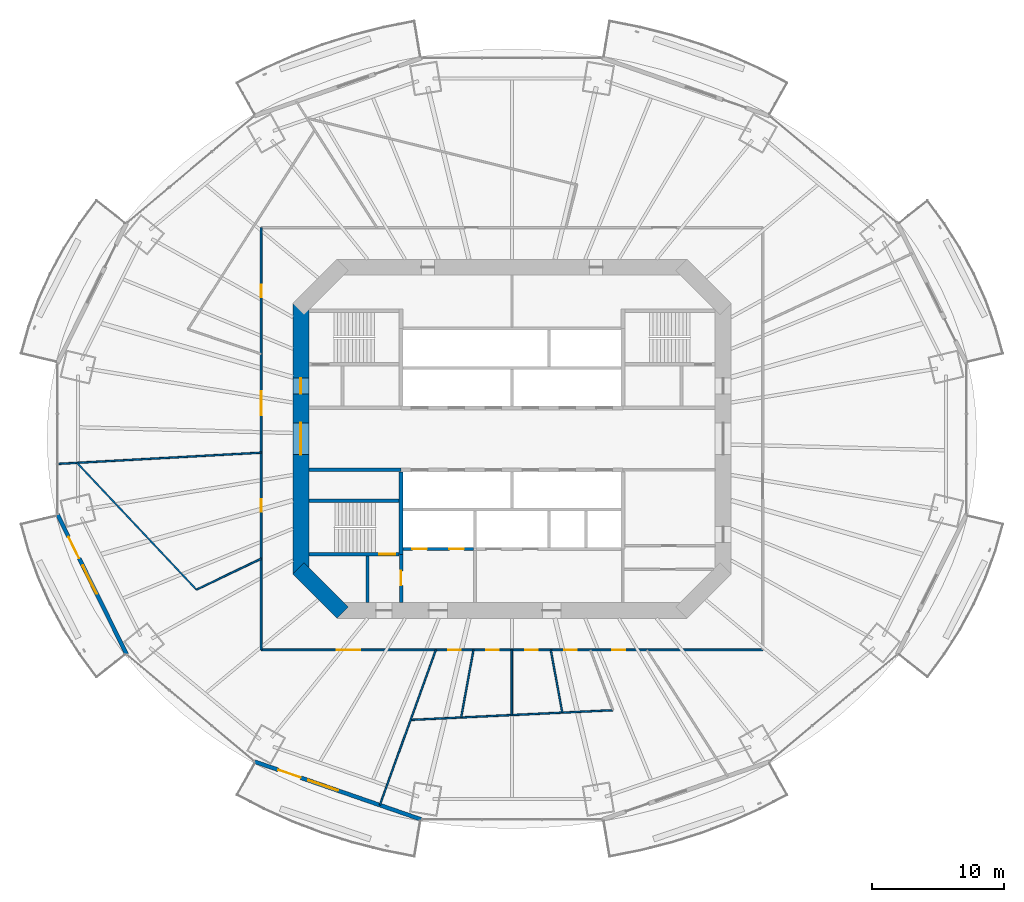
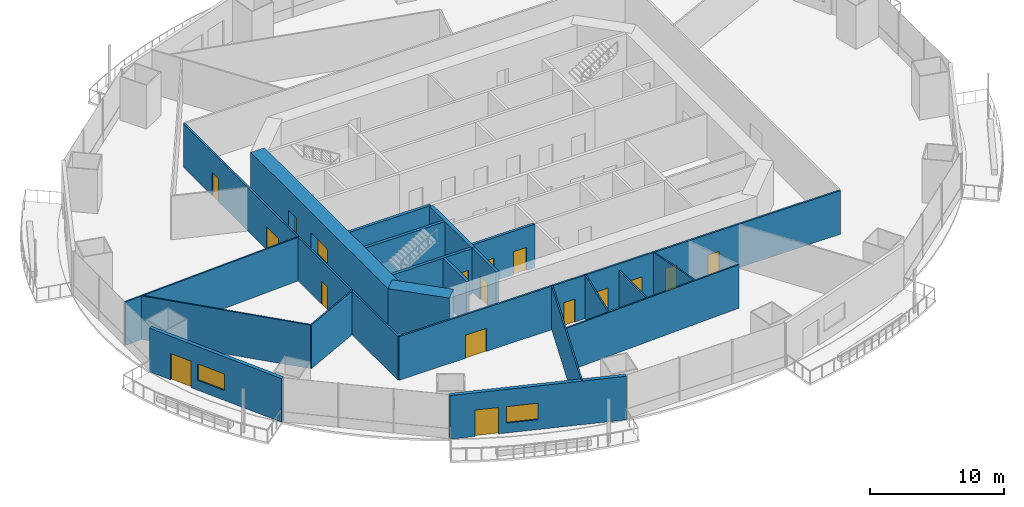
# One storey, part 13 of 22: 21 walls, 17 doors, 2 windows, 19 openings.
"""IFC4 building model written with IfcOpenShell, lengths in metres."""

from ifc_helpers import new_model, si_unit, direction, frame, frame_2d, origin, place, context, subcontext, project, spatial, rectangle, extrude, material, layer, layer_set, type_object, element, fill, save


model = new_model("IFC4")

# Units and contexts
model_context = context("Model", 3, precision=1e-05, world=origin(), true_north=direction((0.0, 1.0)))
body_context = subcontext(model_context, "Body", "Model", "MODEL_VIEW")
ifc_project = project(units=[si_unit("LENGTHUNIT", "METRE"), si_unit("AREAUNIT", "SQUARE_METRE"), si_unit("VOLUMEUNIT", "CUBIC_METRE"), si_unit("PLANEANGLEUNIT", "RADIAN"), si_unit("MASSUNIT", "GRAM", prefix="KILO")], contexts=[model_context])

# Site, building, storey
site_placement = place(None, origin())
site = spatial("IfcSite", under=ifc_project, at=site_placement, CompositionType="ELEMENT")
building_placement = place(site_placement, origin())
building = spatial("IfcBuilding", under=site, at=building_placement, Name="Marenthal Gate Tower", CompositionType="ELEMENT")
storey_placement = place(building_placement, frame((0.0, 0.0, 82.800048828125)))
storey = spatial("IfcBuildingStorey", under=building, at=storey_placement, Name="L16", CompositionType="ELEMENT", Elevation=82.800048828125)

# Wall, openings, doors
ifc_material_1 = material(Name="Concrete 60 MPa", Category="concrete")
ifc_layer_1 = layer(ifc_material_1, 1.199951171875)
ifc_layer_set_1 = layer_set([ifc_layer_1], Name="Core shear wall 1200")
wall_type_1 = type_object("IfcWallType", Name="Core shear wall 1200", PredefinedType="SHEAR", material=ifc_layer_set_1)
wall_1_placement = place(storey_placement, frame((-16.0, 10.24853515625, -0.179931640625), z_axis=(0.0, 0.0, 1.0), x_axis=(0.0, -1.0, 0.0)))
wall_1 = element("IfcWall", 1, at=wall_1_placement, inside=storey, type_object=wall_type_1, Name="Core wall 06", PredefinedType="SHEAR", context=body_context, shape_type="SweptSolid", body=[
    extrude(rectangle(XDim=20.4970703125, YDim=1.199951171875, at=frame_2d((10.24853515625, 0.0))), origin(), (0.0, 0.0, 1.0), 4.14990234375),
])
opening_1_placement = place(wall_1_placement, frame((9.048583984375, 0.0, 0.179931640625)))
opening_1 = element("IfcOpeningElement", 2, at=opening_1_placement, cuts=wall_1, Name="Opening D003.01", PredefinedType="OPENING", context=body_context, shape_type="SweptSolid", body=[
    extrude(rectangle(XDim=2.39990234375, YDim=2.10009765625, at=frame_2d((1.199951171875, 1.050048828125))), frame((0.0, 0.60986328125, 0.0), z_axis=(0.0, -1.0, 0.0), x_axis=(1.0, 0.0, 0.0)), (0.0, 0.0, 1.0), 1.219970703125),
])
opening_2_placement = place(wall_1_placement, frame((5.6484375, 0.0, 0.179931640625)))
opening_2 = element("IfcOpeningElement", 3, at=opening_2_placement, cuts=wall_1, Name="Opening D001.04", PredefinedType="OPENING", context=body_context, shape_type="SweptSolid", body=[
    extrude(rectangle(XDim=1.199951171875, YDim=2.10009765625, at=frame_2d((0.60009765625, 1.050048828125))), frame((0.0, 0.60986328125, 0.0), z_axis=(0.0, -1.0, 0.0), x_axis=(1.0, 0.0, 0.0)), (0.0, 0.0, 1.0), 1.219970703125),
])
ifc_material_2 = material(Name="Steel fire door", Category="steel")
door_type_1 = type_object("IfcDoorType", Name="Double fire door FD 45 2400 x 2100", OperationType="DOUBLE_DOOR_SINGLE_SWING", PredefinedType="DOOR", material=ifc_material_2)
door_1_placement = place(opening_1_placement, origin())
door_1 = element("IfcDoor", 4, at=door_1_placement, inside=storey, type_object=door_type_1, Name="Door D003.01", OperationType="DOUBLE_DOOR_SINGLE_SWING", OverallHeight=2.10009765625, OverallWidth=2.39990234375, PredefinedType="DOOR", context=body_context, shape_type="SweptSolid", body=[
    extrude(rectangle(XDim=2.39990234375, YDim=2.10009765625, at=frame_2d((1.199951171875, 1.050048828125))), frame((0.0, 0.02490234375, 0.0), z_axis=(0.0, -1.0, 0.0), x_axis=(1.0, 0.0, 0.0)), (0.0, 0.0, 1.0), 0.050048828125),
])
fill(opening_1, door_1)
ifc_material_3 = material(Name="Steel fire door", Category="steel")
door_type_2 = type_object("IfcDoorType", Name="Fire door FD 90 1200 x 2100", OperationType="NOTDEFINED", PredefinedType="DOOR", material=ifc_material_3)
door_2_placement = place(opening_2_placement, origin())
door_2 = element("IfcDoor", 5, at=door_2_placement, inside=storey, type_object=door_type_2, Name="Door D001.04", OperationType="SINGLE_SWING_RIGHT", OverallHeight=2.10009765625, OverallWidth=1.199951171875, PredefinedType="DOOR", context=body_context, shape_type="SweptSolid", body=[
    extrude(rectangle(XDim=1.199951171875, YDim=2.10009765625, at=frame_2d((0.60009765625, 1.050048828125))), frame((0.0, 0.02490234375, 0.0), z_axis=(0.0, -1.0, 0.0), x_axis=(1.0, 0.0, 0.0)), (0.0, 0.0, 1.0), 0.050048828125),
])
fill(opening_2, door_2)

# Walls
wall_2_placement = place(storey_placement, frame((-16.17578125, -9.82421875, -0.179931640625), z_axis=(0.0, 0.0, 1.0), x_axis=(0.707106781187, -0.707106781187, 0.0)))
element("IfcWall", 6, at=wall_2_placement, inside=storey, type_object=wall_type_1, Name="Core wall 07", PredefinedType="SHEAR", context=body_context, shape_type="SweptSolid", body=[
    extrude(rectangle(XDim=4.73974609375, YDim=1.199951171875, at=frame_2d((2.369873046875, 0.0))), origin(), (0.0, 0.0, 1.0), 4.14990234375),
])
ifc_material_4 = material(Name="Concrete 50 MPa", Category="concrete")
ifc_layer_2 = layer(ifc_material_4, 0.300048828125)
ifc_layer_set_2 = layer_set([ifc_layer_2], Name="Hoistway shear wall 300")
wall_type_2 = type_object("IfcWallType", Name="Hoistway shear wall 300", PredefinedType="SHEAR", material=ifc_layer_set_2)
wall_3_placement = place(storey_placement, frame((-8.39990234375, -8.75, -0.179931640625), z_axis=(0.0, 0.0, 1.0), x_axis=(0.0, 1.0, 0.0)))
element("IfcWall", 7, at=wall_3_placement, inside=storey, type_object=wall_type_2, Name="Hoistway wall 31", PredefinedType="SHEAR", context=body_context, shape_type="SweptSolid", body=[
    extrude(rectangle(XDim=6.25, YDim=0.300048828125, at=frame_2d((3.125, 0.0))), origin(), (0.0, 0.0, 1.0), 4.14990234375),
])

# Wall, openings, doors
ifc_material_5 = material(Name="Concrete 40 MPa", Category="concrete")
ifc_layer_3 = layer(ifc_material_5, 0.219970703125)
ifc_layer_set_3 = layer_set([ifc_layer_3], Name="Hoistway wall 220")
wall_type_3 = type_object("IfcWallType", Name="Hoistway wall 220", PredefinedType="STANDARD", material=ifc_layer_set_3)
wall_4_placement = place(storey_placement, frame((-8.25, -8.35009765625, 0.0), z_axis=(0.0, 0.0, 1.0), x_axis=(1.0, 0.0, 0.0)))
wall_4 = element("IfcWall", 8, at=wall_4_placement, inside=storey, type_object=wall_type_3, Name="Hoistway wall 11", PredefinedType="STANDARD", context=body_context, shape_type="SweptSolid", body=[
    extrude(rectangle(XDim=5.340087890625, YDim=0.219970703125, at=frame_2d((2.669921875, 0.0))), origin(), (0.0, 0.0, 1.0), 3.969970703125),
])
opening_3_placement = place(wall_4_placement, frame((0.699951171875, 0.0, 0.0)))
opening_3 = element("IfcOpeningElement", 9, at=opening_3_placement, cuts=wall_4, Name="Opening LD-LF1", PredefinedType="OPENING", context=body_context, shape_type="SweptSolid", body=[
    extrude(rectangle(XDim=1.10009765625, YDim=2.10009765625, at=frame_2d((0.550048828125, 1.050048828125))), frame((0.0, 0.1201171875, 0.0), z_axis=(0.0, -1.0, 0.0), x_axis=(1.0, 0.0, 0.0)), (0.0, 0.0, 1.0), 0.239990234375),
])
opening_4_placement = place(wall_4_placement, frame((3.5, 0.0, 0.0)))
opening_4 = element("IfcOpeningElement", 10, at=opening_4_placement, cuts=wall_4, Name="Opening LD-LF2", PredefinedType="OPENING", context=body_context, shape_type="SweptSolid", body=[
    extrude(rectangle(XDim=1.10009765625, YDim=2.10009765625, at=frame_2d((0.550048828125, 1.050048828125))), frame((0.0, 0.1201171875, 0.0), z_axis=(0.0, -1.0, 0.0), x_axis=(1.0, 0.0, 0.0)), (0.0, 0.0, 1.0), 0.239990234375),
])
ifc_material_6 = material(Name="Stainless steel sliding door", Category="steel")
door_type_3 = type_object("IfcDoorType", Name="Lift landing door FD 90 1100 x 2100", OperationType="DOUBLE_DOOR_SLIDING", PredefinedType="DOOR", material=ifc_material_6)
door_3_placement = place(opening_3_placement, origin())
door_3 = element("IfcDoor", 11, at=door_3_placement, inside=storey, type_object=door_type_3, Name="Lift landing door LF1", OperationType="DOUBLE_DOOR_SLIDING", OverallHeight=2.10009765625, OverallWidth=1.10009765625, PredefinedType="DOOR", context=body_context, shape_type="SweptSolid", body=[
    extrude(rectangle(XDim=1.10009765625, YDim=2.10009765625, at=frame_2d((0.550048828125, 1.050048828125))), frame((0.0, 0.02490234375, 0.0), z_axis=(0.0, -1.0, 0.0), x_axis=(1.0, 0.0, 0.0)), (0.0, 0.0, 1.0), 0.050048828125),
])
fill(opening_3, door_3)
door_4_placement = place(opening_4_placement, origin())
door_4 = element("IfcDoor", 12, at=door_4_placement, inside=storey, type_object=door_type_3, Name="Lift landing door LF2", OperationType="DOUBLE_DOOR_SLIDING", OverallHeight=2.10009765625, OverallWidth=1.10009765625, PredefinedType="DOOR", context=body_context, shape_type="SweptSolid", body=[
    extrude(rectangle(XDim=1.10009765625, YDim=2.10009765625, at=frame_2d((0.550048828125, 1.050048828125))), frame((0.0, 0.02490234375, 0.0), z_axis=(0.0, -1.0, 0.0), x_axis=(1.0, 0.0, 0.0)), (0.0, 0.0, 1.0), 0.050048828125),
])
fill(opening_4, door_4)

# Walls
ifc_material_7 = material(Name="Gypsum board on steel studs", Category="steel")
ifc_layer_4 = layer(ifc_material_7, 0.1201171875)
ifc_layer_set_4 = layer_set([ifc_layer_4], Name="Partition 120")
wall_type_4 = type_object("IfcWallType", Name="Partition 120", PredefinedType="PARTITIONING", material=ifc_layer_set_4)
wall_5_placement = place(storey_placement, frame((-32.956787109375, -1.8212890625, 0.0), z_axis=(0.0, 0.0, 1.0), x_axis=(0.685404519596, -0.728162512436, 0.0)))
element("IfcWall", 13, at=wall_5_placement, inside=storey, type_object=wall_type_4, Name="Partition wall 47", PredefinedType="PARTITIONING", context=body_context, shape_type="SweptSolid", body=[
    extrude(rectangle(XDim=13.1953125, YDim=0.1201171875, at=frame_2d((6.59765625, 0.0))), origin(), (0.0, 0.0, 1.0), 3.969970703125),
])
wall_6_placement = place(storey_placement, frame((-23.91259765625, -11.4296875, 0.0), z_axis=(0.0, 0.0, 1.0), x_axis=(0.902248770513, 0.431215904285, 0.0)))
element("IfcWall", 14, at=wall_6_placement, inside=storey, type_object=wall_type_4, Name="Partition wall 49", PredefinedType="PARTITIONING", context=body_context, shape_type="SweptSolid", body=[
    extrude(rectangle(XDim=5.44482421875, YDim=0.1201171875, at=frame_2d((2.722412109375, 0.0))), origin(), (0.0, 0.0, 1.0), 3.969970703125),
])
wall_7_placement = place(storey_placement, frame((-19.0, -1.050048828125, 0.0), z_axis=(0.0, 0.0, 1.0), x_axis=(-0.998476588054, -0.055177016127, 0.0)))
element("IfcWall", 15, at=wall_7_placement, inside=storey, type_object=wall_type_4, Name="Partition wall 51", PredefinedType="PARTITIONING", context=body_context, shape_type="SweptSolid", body=[
    extrude(rectangle(XDim=15.459716796875, YDim=0.1201171875, at=frame_2d((7.72998046875, 0.0))), origin(), (0.0, 0.0, 1.0), 3.969970703125),
])
wall_8_placement = place(storey_placement, frame((-7.68408203125, -21.299072265625, 0.0), z_axis=(0.0, 0.0, 1.0), x_axis=(0.998854128079, 0.04785844564, 0.0)))
element("IfcWall", 16, at=wall_8_placement, inside=storey, type_object=wall_type_4, Name="Partition wall 55", PredefinedType="PARTITIONING", context=body_context, shape_type="SweptSolid", body=[
    extrude(rectangle(XDim=15.3447265625, YDim=0.1201171875, at=frame_2d((7.67236328125, 0.0))), origin(), (0.0, 0.0, 1.0), 3.969970703125),
])
wall_9_placement = place(storey_placement, frame((-5.7724609375, -16.0, 0.0), z_axis=(0.0, 0.0, 1.0), x_axis=(-0.339354475961, -0.940658566987, 0.0)))
element("IfcWall", 17, at=wall_9_placement, inside=storey, type_object=wall_type_4, Name="Partition wall 56", PredefinedType="PARTITIONING", context=body_context, shape_type="SweptSolid", body=[
    extrude(rectangle(XDim=12.496337890625, YDim=0.1201171875, at=frame_2d((6.248046875, 0.0))), origin(), (0.0, 0.0, 1.0), 3.969970703125),
])
wall_10_placement = place(storey_placement, frame((-3.852294921875, -21.115478515625, 0.0), z_axis=(0.0, 0.0, 1.0), x_axis=(0.179447320467, 0.983767583923, 0.0)))
element("IfcWall", 18, at=wall_10_placement, inside=storey, type_object=wall_type_4, Name="Partition wall 57", PredefinedType="PARTITIONING", context=body_context, shape_type="SweptSolid", body=[
    extrude(rectangle(XDim=5.199951171875, YDim=0.1201171875, at=frame_2d((2.60009765625, 0.0))), origin(), (0.0, 0.0, 1.0), 3.969970703125),
])
wall_11_placement = place(storey_placement, frame((-0.0205078125, -20.931884765625, 0.0), z_axis=(0.0, 0.0, 1.0), x_axis=(0.000940547082, 0.999999557685, 0.0)))
element("IfcWall", 19, at=wall_11_placement, inside=storey, type_object=wall_type_4, Name="Partition wall 58", PredefinedType="PARTITIONING", context=body_context, shape_type="SweptSolid", body=[
    extrude(rectangle(XDim=4.931884765625, YDim=0.1201171875, at=frame_2d((2.4658203125, 0.0))), origin(), (0.0, 0.0, 1.0), 3.35791015625),
])
wall_12_placement = place(storey_placement, frame((3.811279296875, -20.748291015625, 0.0), z_axis=(0.0, 0.0, 1.0), x_axis=(-0.180687461344, 0.983540564142, 0.0)))
element("IfcWall", 20, at=wall_12_placement, inside=storey, type_object=wall_type_4, Name="Partition wall 59", PredefinedType="PARTITIONING", context=body_context, shape_type="SweptSolid", body=[
    extrude(rectangle(XDim=4.82763671875, YDim=0.1201171875, at=frame_2d((2.413818359375, 0.0))), origin(), (0.0, 0.0, 1.0), 3.969970703125),
])

# Wall, openings, doors
ifc_material_8 = material(Name="Gypsum board on steel studs", Category="steel")
ifc_layer_5 = layer(ifc_material_8, 0.14990234375)
ifc_layer_set_5 = layer_set([ifc_layer_5], Name="Partition 150")
wall_type_5 = type_object("IfcWallType", Name="Partition 150", PredefinedType="PARTITIONING", material=ifc_layer_set_5)
wall_13_placement = place(storey_placement, frame((-19.0, -16.0, 0.0), z_axis=(0.0, 0.0, 1.0), x_axis=(0.0, 1.0, 0.0)))
wall_13 = element("IfcWall", 21, at=wall_13_placement, inside=storey, type_object=wall_type_5, Name="Partition wall 50", PredefinedType="PARTITIONING", context=body_context, shape_type="SweptSolid", body=[
    extrude(rectangle(XDim=32.0, YDim=0.14990234375, at=frame_2d((16.0, 0.0))), origin(), (0.0, 0.0, 1.0), 3.969970703125),
])
opening_5_placement = place(wall_13_placement, frame((26.735107421875, 0.0, 0.0)))
opening_5 = element("IfcOpeningElement", 22, at=opening_5_placement, cuts=wall_13, Name="Opening D016.02", PredefinedType="OPENING", context=body_context, shape_type="SweptSolid", body=[
    extrude(rectangle(XDim=0.949951171875, YDim=2.10009765625, at=frame_2d((0.47509765625, 1.050048828125))), frame((0.0, 0.0849609375, 0.0), z_axis=(0.0, -1.0, 0.0), x_axis=(1.0, 0.0, 0.0)), (0.0, 0.0, 1.0), 0.169921875),
])
opening_6_placement = place(wall_13_placement, frame((17.784912109375, 0.0, 0.0)))
opening_6 = element("IfcOpeningElement", 23, at=opening_6_placement, cuts=wall_13, Name="Opening D014.02", PredefinedType="OPENING", context=body_context, shape_type="SweptSolid", body=[
    extrude(rectangle(XDim=1.800048828125, YDim=2.10009765625, at=frame_2d((0.89990234375, 1.050048828125))), frame((0.0, 0.0849609375, 0.0), z_axis=(0.0, -1.0, 0.0), x_axis=(1.0, 0.0, 0.0)), (0.0, 0.0, 1.0), 0.169921875),
])
opening_7_placement = place(wall_13_placement, frame((10.458984375, 0.0, 0.0)))
opening_7 = element("IfcOpeningElement", 24, at=opening_7_placement, cuts=wall_13, Name="Opening D016.03", PredefinedType="OPENING", context=body_context, shape_type="SweptSolid", body=[
    extrude(rectangle(XDim=0.949951171875, YDim=2.10009765625, at=frame_2d((0.47509765625, 1.050048828125))), frame((0.0, 0.0849609375, 0.0), z_axis=(0.0, -1.0, 0.0), x_axis=(1.0, 0.0, 0.0)), (0.0, 0.0, 1.0), 0.169921875),
])
ifc_material_9 = material(Name="Timber door", Category="wood")
door_type_4 = type_object("IfcDoorType", Name="Door 950 x 2100", OperationType="NOTDEFINED", PredefinedType="DOOR", material=ifc_material_9)
door_5_placement = place(opening_5_placement, origin())
door_5 = element("IfcDoor", 25, at=door_5_placement, inside=storey, type_object=door_type_4, Name="Door D016.02", OperationType="SINGLE_SWING_RIGHT", OverallHeight=2.10009765625, OverallWidth=0.949951171875, PredefinedType="DOOR", context=body_context, shape_type="SweptSolid", body=[
    extrude(rectangle(XDim=0.949951171875, YDim=2.10009765625, at=frame_2d((0.47509765625, 1.050048828125))), frame((0.0, 0.02490234375, 0.0), z_axis=(0.0, -1.0, 0.0), x_axis=(1.0, 0.0, 0.0)), (0.0, 0.0, 1.0), 0.050048828125),
])
fill(opening_5, door_5)
door_6_placement = place(opening_7_placement, origin())
door_6 = element("IfcDoor", 26, at=door_6_placement, inside=storey, type_object=door_type_4, Name="Door D016.03", OperationType="SINGLE_SWING_RIGHT", OverallHeight=2.10009765625, OverallWidth=0.949951171875, PredefinedType="DOOR", context=body_context, shape_type="SweptSolid", body=[
    extrude(rectangle(XDim=0.949951171875, YDim=2.10009765625, at=frame_2d((0.47509765625, 1.050048828125))), frame((0.0, 0.02490234375, 0.0), z_axis=(0.0, -1.0, 0.0), x_axis=(1.0, 0.0, 0.0)), (0.0, 0.0, 1.0), 0.050048828125),
])
fill(opening_7, door_6)
ifc_material_10 = material(Name="Timber door", Category="wood")
door_type_5 = type_object("IfcDoorType", Name="Double door 1800 x 2100", OperationType="DOUBLE_DOOR_SINGLE_SWING", PredefinedType="DOOR", material=ifc_material_10)
door_7_placement = place(opening_6_placement, origin())
door_7 = element("IfcDoor", 27, at=door_7_placement, inside=storey, type_object=door_type_5, Name="Door D014.02", OperationType="DOUBLE_DOOR_SINGLE_SWING", OverallHeight=2.10009765625, OverallWidth=1.800048828125, PredefinedType="DOOR", context=body_context, shape_type="SweptSolid", body=[
    extrude(rectangle(XDim=1.800048828125, YDim=2.10009765625, at=frame_2d((0.89990234375, 1.050048828125))), frame((0.0, 0.02490234375, 0.0), z_axis=(0.0, -1.0, 0.0), x_axis=(1.0, 0.0, 0.0)), (0.0, 0.0, 1.0), 0.050048828125),
])
fill(opening_6, door_7)

wall_14_placement = place(storey_placement, frame((19.0, -16.0, 0.0), z_axis=(0.0, 0.0, 1.0), x_axis=(-1.0, 0.0, 0.0)))
wall_14 = element("IfcWall", 28, at=wall_14_placement, inside=storey, type_object=wall_type_5, Name="Partition wall 64", PredefinedType="PARTITIONING", context=body_context, shape_type="SweptSolid", body=[
    extrude(rectangle(XDim=38.0, YDim=0.14990234375, at=frame_2d((19.0, 0.0))), origin(), (0.0, 0.0, 1.0), 3.969970703125),
])
opening_8_placement = place(wall_14_placement, frame((30.486083984375, 0.0, 0.0)))
opening_8 = element("IfcOpeningElement", 29, at=opening_8_placement, cuts=wall_14, Name="Opening D014.03", PredefinedType="OPENING", context=body_context, shape_type="SweptSolid", body=[
    extrude(rectangle(XDim=1.800048828125, YDim=2.10009765625, at=frame_2d((0.89990234375, 1.050048828125))), frame((0.0, 0.0849609375, 0.0), z_axis=(0.0, -1.0, 0.0), x_axis=(1.0, 0.0, 0.0)), (0.0, 0.0, 1.0), 0.169921875),
])
opening_9_placement = place(wall_14_placement, frame((22.8701171875, 0.0, 0.0)))
opening_9 = element("IfcOpeningElement", 30, at=opening_9_placement, cuts=wall_14, Name="Opening D016.04", PredefinedType="OPENING", context=body_context, shape_type="SweptSolid", body=[
    extrude(rectangle(XDim=0.949951171875, YDim=2.10009765625, at=frame_2d((0.47509765625, 1.050048828125))), frame((0.0, 0.0849609375, 0.0), z_axis=(0.0, -1.0, 0.0), x_axis=(1.0, 0.0, 0.0)), (0.0, 0.0, 1.0), 0.169921875),
])
opening_10_placement = place(wall_14_placement, frame((19.991943359375, 0.0, 0.0)))
opening_10 = element("IfcOpeningElement", 31, at=opening_10_placement, cuts=wall_14, Name="Opening D016.05", PredefinedType="OPENING", context=body_context, shape_type="SweptSolid", body=[
    extrude(rectangle(XDim=0.949951171875, YDim=2.10009765625, at=frame_2d((0.47509765625, 1.050048828125))), frame((0.0, 0.0849609375, 0.0), z_axis=(0.0, -1.0, 0.0), x_axis=(1.0, 0.0, 0.0)), (0.0, 0.0, 1.0), 0.169921875),
])
opening_11_placement = place(wall_14_placement, frame((17.06298828125, 0.0, 0.0)))
opening_11 = element("IfcOpeningElement", 32, at=opening_11_placement, cuts=wall_14, Name="Opening D016.06", PredefinedType="OPENING", context=body_context, shape_type="SweptSolid", body=[
    extrude(rectangle(XDim=0.949951171875, YDim=2.10009765625, at=frame_2d((0.47509765625, 1.050048828125))), frame((0.0, 0.0849609375, 0.0), z_axis=(0.0, -1.0, 0.0), x_axis=(1.0, 0.0, 0.0)), (0.0, 0.0, 1.0), 0.169921875),
])
opening_12_placement = place(wall_14_placement, frame((14.08203125, 0.0, 0.0)))
opening_12 = element("IfcOpeningElement", 33, at=opening_12_placement, cuts=wall_14, Name="Opening D016.07", PredefinedType="OPENING", context=body_context, shape_type="SweptSolid", body=[
    extrude(rectangle(XDim=0.949951171875, YDim=2.10009765625, at=frame_2d((0.47509765625, 1.050048828125))), frame((0.0, 0.0849609375, 0.0), z_axis=(0.0, -1.0, 0.0), x_axis=(1.0, 0.0, 0.0)), (0.0, 0.0, 1.0), 0.169921875),
])
opening_13_placement = place(wall_14_placement, frame((10.43701171875, 0.0, 0.0)))
opening_13 = element("IfcOpeningElement", 34, at=opening_13_placement, cuts=wall_14, Name="Opening D016.08", PredefinedType="OPENING", context=body_context, shape_type="SweptSolid", body=[
    extrude(rectangle(XDim=0.949951171875, YDim=2.10009765625, at=frame_2d((0.47509765625, 1.050048828125))), frame((0.0, 0.0849609375, 0.0), z_axis=(0.0, -1.0, 0.0), x_axis=(1.0, 0.0, 0.0)), (0.0, 0.0, 1.0), 0.169921875),
])
door_8_placement = place(opening_9_placement, origin())
door_8 = element("IfcDoor", 35, at=door_8_placement, inside=storey, type_object=door_type_4, Name="Door D016.04", OperationType="SINGLE_SWING_RIGHT", OverallHeight=2.10009765625, OverallWidth=0.949951171875, PredefinedType="DOOR", context=body_context, shape_type="SweptSolid", body=[
    extrude(rectangle(XDim=0.949951171875, YDim=2.10009765625, at=frame_2d((0.47509765625, 1.050048828125))), frame((0.0, 0.02490234375, 0.0), z_axis=(0.0, -1.0, 0.0), x_axis=(1.0, 0.0, 0.0)), (0.0, 0.0, 1.0), 0.050048828125),
])
fill(opening_9, door_8)
door_9_placement = place(opening_10_placement, origin())
door_9 = element("IfcDoor", 36, at=door_9_placement, inside=storey, type_object=door_type_4, Name="Door D016.05", OperationType="SINGLE_SWING_RIGHT", OverallHeight=2.10009765625, OverallWidth=0.949951171875, PredefinedType="DOOR", context=body_context, shape_type="SweptSolid", body=[
    extrude(rectangle(XDim=0.949951171875, YDim=2.10009765625, at=frame_2d((0.47509765625, 1.050048828125))), frame((0.0, 0.02490234375, 0.0), z_axis=(0.0, -1.0, 0.0), x_axis=(1.0, 0.0, 0.0)), (0.0, 0.0, 1.0), 0.050048828125),
])
fill(opening_10, door_9)
door_10_placement = place(opening_11_placement, origin())
door_10 = element("IfcDoor", 37, at=door_10_placement, inside=storey, type_object=door_type_4, Name="Door D016.06", OperationType="SINGLE_SWING_RIGHT", OverallHeight=2.10009765625, OverallWidth=0.949951171875, PredefinedType="DOOR", context=body_context, shape_type="SweptSolid", body=[
    extrude(rectangle(XDim=0.949951171875, YDim=2.10009765625, at=frame_2d((0.47509765625, 1.050048828125))), frame((0.0, 0.02490234375, 0.0), z_axis=(0.0, -1.0, 0.0), x_axis=(1.0, 0.0, 0.0)), (0.0, 0.0, 1.0), 0.050048828125),
])
fill(opening_11, door_10)
door_11_placement = place(opening_12_placement, origin())
door_11 = element("IfcDoor", 38, at=door_11_placement, inside=storey, type_object=door_type_4, Name="Door D016.07", OperationType="SINGLE_SWING_RIGHT", OverallHeight=2.10009765625, OverallWidth=0.949951171875, PredefinedType="DOOR", context=body_context, shape_type="SweptSolid", body=[
    extrude(rectangle(XDim=0.949951171875, YDim=2.10009765625, at=frame_2d((0.47509765625, 1.050048828125))), frame((0.0, 0.02490234375, 0.0), z_axis=(0.0, -1.0, 0.0), x_axis=(1.0, 0.0, 0.0)), (0.0, 0.0, 1.0), 0.050048828125),
])
fill(opening_12, door_11)
door_12_placement = place(opening_13_placement, origin())
door_12 = element("IfcDoor", 39, at=door_12_placement, inside=storey, type_object=door_type_4, Name="Door D016.08", OperationType="SINGLE_SWING_RIGHT", OverallHeight=2.10009765625, OverallWidth=0.949951171875, PredefinedType="DOOR", context=body_context, shape_type="SweptSolid", body=[
    extrude(rectangle(XDim=0.949951171875, YDim=2.10009765625, at=frame_2d((0.47509765625, 1.050048828125))), frame((0.0, 0.02490234375, 0.0), z_axis=(0.0, -1.0, 0.0), x_axis=(1.0, 0.0, 0.0)), (0.0, 0.0, 1.0), 0.050048828125),
])
fill(opening_13, door_12)
door_13_placement = place(opening_8_placement, origin())
door_13 = element("IfcDoor", 40, at=door_13_placement, inside=storey, type_object=door_type_5, Name="Door D014.03", OperationType="DOUBLE_DOOR_SINGLE_SWING", OverallHeight=2.10009765625, OverallWidth=1.800048828125, PredefinedType="DOOR", context=body_context, shape_type="SweptSolid", body=[
    extrude(rectangle(XDim=1.800048828125, YDim=2.10009765625, at=frame_2d((0.89990234375, 1.050048828125))), frame((0.0, 0.02490234375, 0.0), z_axis=(0.0, -1.0, 0.0), x_axis=(1.0, 0.0, 0.0)), (0.0, 0.0, 1.0), 0.050048828125),
])
fill(opening_8, door_13)

# Walls
ifc_material_11 = material(Name="Concrete 40 MPa", Category="concrete")
ifc_layer_6 = layer(ifc_material_11, 0.25)
ifc_layer_set_6 = layer_set([ifc_layer_6], Name="Stair enclosure wall 250")
wall_type_6 = type_object("IfcWallType", Name="Stair enclosure wall 250", PredefinedType="STANDARD", material=ifc_layer_set_6)
wall_15_placement = place(storey_placement, frame((-15.39990234375, -2.35009765625, 0.0), z_axis=(0.0, 0.0, 1.0), x_axis=(1.0, 0.0, 0.0)))
element("IfcWall", 41, at=wall_15_placement, inside=storey, type_object=wall_type_6, Name="Stair wall 16", PredefinedType="STANDARD", context=body_context, shape_type="SweptSolid", body=[
    extrude(rectangle(XDim=7.0, YDim=0.25, at=frame_2d((3.5, 0.0))), origin(), (0.0, 0.0, 1.0), 3.969970703125),
])
wall_16_placement = place(storey_placement, frame((-10.949951171875, -12.39990234375, 0.0), z_axis=(0.0, 0.0, 1.0), x_axis=(0.0, 1.0, 0.0)))
element("IfcWall", 42, at=wall_16_placement, inside=storey, type_object=wall_type_6, Name="Stair wall 29", PredefinedType="STANDARD", context=body_context, shape_type="SweptSolid", body=[
    extrude(rectangle(XDim=3.52490234375, YDim=0.25, at=frame_2d((1.762451171875, 0.0))), origin(), (0.0, 0.0, 1.0), 3.969970703125),
])

# Wall, opening, door
wall_17_placement = place(storey_placement, frame((-8.39990234375, -12.39990234375, 0.0), z_axis=(0.0, 0.0, 1.0), x_axis=(0.0, 1.0, 0.0)))
wall_17 = element("IfcWall", 43, at=wall_17_placement, inside=storey, type_object=wall_type_6, Name="Stair wall 30", PredefinedType="STANDARD", context=body_context, shape_type="SweptSolid", body=[
    extrude(rectangle(XDim=3.64990234375, YDim=0.25, at=frame_2d((1.824951171875, 0.0))), origin(), (0.0, 0.0, 1.0), 3.969970703125),
])
opening_14_placement = place(wall_17_placement, frame((1.300048828125, 0.0, 0.0)))
opening_14 = element("IfcOpeningElement", 44, at=opening_14_placement, cuts=wall_17, Name="Opening D002.01", PredefinedType="OPENING", context=body_context, shape_type="SweptSolid", body=[
    extrude(rectangle(XDim=1.10009765625, YDim=2.10009765625, at=frame_2d((0.550048828125, 1.050048828125))), frame((0.0, 0.135009765625, 0.0), z_axis=(0.0, -1.0, 0.0), x_axis=(1.0, 0.0, 0.0)), (0.0, 0.0, 1.0), 0.27001953125),
])
ifc_material_12 = material(Name="Steel fire door", Category="steel")
door_type_6 = type_object("IfcDoorType", Name="Fire door FD 90 1100 x 2100", OperationType="NOTDEFINED", PredefinedType="DOOR", material=ifc_material_12)
door_14_placement = place(opening_14_placement, origin())
door_14 = element("IfcDoor", 45, at=door_14_placement, inside=storey, type_object=door_type_6, Name="Door D002.01", OperationType="SINGLE_SWING_RIGHT", OverallHeight=2.10009765625, OverallWidth=1.10009765625, PredefinedType="DOOR", context=body_context, shape_type="SweptSolid", body=[
    extrude(rectangle(XDim=1.10009765625, YDim=2.10009765625, at=frame_2d((0.550048828125, 1.050048828125))), frame((0.0, 0.02490234375, 0.0), z_axis=(0.0, -1.0, 0.0), x_axis=(1.0, 0.0, 0.0)), (0.0, 0.0, 1.0), 0.050048828125),
])
fill(opening_14, door_14)

ifc_material_13 = material(Name="Concrete 50 MPa", Category="concrete")
ifc_layer_7 = layer(ifc_material_13, 0.25)
ifc_layer_set_7 = layer_set([ifc_layer_7], Name="Stair shear wall 250")
wall_type_7 = type_object("IfcWallType", Name="Stair shear wall 250", PredefinedType="SHEAR", material=ifc_layer_set_7)
wall_18_placement = place(storey_placement, frame((-15.39990234375, -8.75, -0.179931640625), z_axis=(0.0, 0.0, 1.0), x_axis=(1.0, 0.0, 0.0)))
wall_18 = element("IfcWall", 46, at=wall_18_placement, inside=storey, type_object=wall_type_7, Name="Stair wall 10", PredefinedType="SHEAR", context=body_context, shape_type="SweptSolid", body=[
    extrude(rectangle(XDim=6.849853515625, YDim=0.25, at=frame_2d((3.4248046875, 0.0))), origin(), (0.0, 0.0, 1.0), 4.14990234375),
])
opening_15_placement = place(wall_18_placement, frame((5.35009765625, 0.0, 0.179931640625)))
opening_15 = element("IfcOpeningElement", 47, at=opening_15_placement, cuts=wall_18, Name="Opening D001.03", PredefinedType="OPENING", context=body_context, shape_type="SweptSolid", body=[
    extrude(rectangle(XDim=1.199951171875, YDim=2.10009765625, at=frame_2d((0.60009765625, 1.050048828125))), frame((0.0, 0.135009765625, 0.0), z_axis=(0.0, -1.0, 0.0), x_axis=(1.0, 0.0, 0.0)), (0.0, 0.0, 1.0), 0.27001953125),
])
door_15_placement = place(opening_15_placement, origin())
door_15 = element("IfcDoor", 48, at=door_15_placement, inside=storey, type_object=door_type_2, Name="Door D001.03", OperationType="SINGLE_SWING_RIGHT", OverallHeight=2.10009765625, OverallWidth=1.199951171875, PredefinedType="DOOR", context=body_context, shape_type="SweptSolid", body=[
    extrude(rectangle(XDim=1.199951171875, YDim=2.10009765625, at=frame_2d((0.60009765625, 1.050048828125))), frame((0.0, 0.02490234375, 0.0), z_axis=(0.0, -1.0, 0.0), x_axis=(1.0, 0.0, 0.0)), (0.0, 0.0, 1.0), 0.050048828125),
])
fill(opening_15, door_15)

# Wall
wall_19_placement = place(storey_placement, frame((-15.39990234375, -4.699951171875, -0.179931640625), z_axis=(0.0, 0.0, 1.0), x_axis=(1.0, 0.0, 0.0)))
element("IfcWall", 49, at=wall_19_placement, inside=storey, type_object=wall_type_7, Name="Stair wall 15", PredefinedType="SHEAR", context=body_context, shape_type="SweptSolid", body=[
    extrude(rectangle(XDim=6.849853515625, YDim=0.25, at=frame_2d((3.4248046875, 0.0))), origin(), (0.0, 0.0, 1.0), 4.14990234375),
])

# Wall, openings, door, window
ifc_material_14 = material(Name="Terracotta cladding on insulated concrete-block backing", Category="masonry")
ifc_layer_8 = layer(ifc_material_14, 0.300048828125)
ifc_layer_set_8 = layer_set([ifc_layer_8], Name="Terracotta facade wall 300")
wall_type_8 = type_object("IfcWallType", Name="Terracotta facade wall 300", PredefinedType="SOLIDWALL", material=ifc_layer_set_8)
wall_20_placement = place(storey_placement, frame((-34.436279296875, -5.7392578125, 0.0), z_axis=(0.0, 0.0, 1.0), x_axis=(0.443180520711, -0.896432387892, 0.0)))
wall_20 = element("IfcWall", 50, at=wall_20_placement, inside=storey, type_object=wall_type_8, Name="Terracotta facade wall L16 bay 9", PredefinedType="SOLIDWALL", context=body_context, shape_type="SweptSolid", body=[
    extrude(rectangle(XDim=11.82958984375, YDim=0.300048828125, at=frame_2d((5.914794921875, 0.0))), origin(), (0.0, 0.0, 1.0), 3.969970703125),
])
opening_16_placement = place(wall_20_placement, frame((1.89990234375, 0.0, 0.0)))
opening_16 = element("IfcOpeningElement", 51, at=opening_16_placement, cuts=wall_20, Name="Opening BD-L16-09", PredefinedType="OPENING", context=body_context, shape_type="SweptSolid", body=[
    extrude(rectangle(XDim=1.800048828125, YDim=2.39990234375, at=frame_2d((0.89990234375, 1.199951171875))), frame((0.0, 0.16015625, 0.0), z_axis=(0.0, -1.0, 0.0), x_axis=(1.0, 0.0, 0.0)), (0.0, 0.0, 1.0), 0.320068359375),
])
opening_17_placement = place(wall_20_placement, frame((4.300048828125, 0.0, 0.89990234375)))
opening_17 = element("IfcOpeningElement", 52, at=opening_17_placement, cuts=wall_20, Name="Opening WN1-L16-09", PredefinedType="OPENING", context=body_context, shape_type="SweptSolid", body=[
    extrude(rectangle(XDim=2.39990234375, YDim=1.5, at=frame_2d((1.199951171875, 0.75))), frame((0.0, 0.16015625, 0.0), z_axis=(0.0, -1.0, 0.0), x_axis=(1.0, 0.0, 0.0)), (0.0, 0.0, 1.0), 0.320068359375),
])
ifc_material_15 = material(Name="Aluminium and glass", Category="aluminium")
door_type_7 = type_object("IfcDoorType", Name="Balcony door 1800x2400", OperationType="DOUBLE_DOOR_SINGLE_SWING", PredefinedType="DOOR", material=ifc_material_15)
door_16_placement = place(opening_16_placement, origin())
door_16 = element("IfcDoor", 53, at=door_16_placement, inside=storey, type_object=door_type_7, Name="Balcony door L16 bay 9", OperationType="SINGLE_SWING_LEFT", OverallHeight=2.39990234375, OverallWidth=1.800048828125, PredefinedType="DOOR", context=body_context, shape_type="SweptSolid", body=[
    extrude(rectangle(XDim=1.800048828125, YDim=2.39990234375, at=frame_2d((0.89990234375, 1.199951171875))), frame((0.0, 0.02490234375, 0.0), z_axis=(0.0, -1.0, 0.0), x_axis=(1.0, 0.0, 0.0)), (0.0, 0.0, 1.0), 0.050048828125),
])
fill(opening_16, door_16)
ifc_material_16 = material(Name="Aluminium and glass", Category="aluminium")
window_type = type_object("IfcWindowType", Name="Window 2400x1500", PartitioningType="TRIPLE_PANEL_VERTICAL", PredefinedType="WINDOW", material=ifc_material_16)
window_1_placement = place(opening_17_placement, origin())
window_1 = element("IfcWindow", 54, at=window_1_placement, inside=storey, type_object=window_type, Name="Window L16 bay 9", OverallHeight=1.5, OverallWidth=2.39990234375, PartitioningType="SINGLE_PANEL", PredefinedType="WINDOW", context=body_context, shape_type="SweptSolid", body=[
    extrude(rectangle(XDim=2.39990234375, YDim=1.5, at=frame_2d((1.199951171875, 0.75))), frame((0.0, 0.030029296875, 0.0), z_axis=(0.0, -1.0, 0.0), x_axis=(1.0, 0.0, 0.0)), (0.0, 0.0, 1.0), 0.06005859375),
])
fill(opening_17, window_1)

wall_21_placement = place(storey_placement, frame((-19.506591796875, -24.460205078125, 0.0), z_axis=(0.0, 0.0, 1.0), x_axis=(0.944722748464, -0.327870292241, 0.0)))
wall_21 = element("IfcWall", 55, at=wall_21_placement, inside=storey, type_object=wall_type_8, Name="Terracotta facade wall L16 bay 11", PredefinedType="SOLIDWALL", context=body_context, shape_type="SweptSolid", body=[
    extrude(rectangle(XDim=13.397216796875, YDim=0.300048828125, at=frame_2d((6.69873046875, 0.0))), origin(), (0.0, 0.0, 1.0), 3.969970703125),
])
opening_18_placement = place(wall_21_placement, frame((1.89990234375, 0.0, 0.0)))
opening_18 = element("IfcOpeningElement", 56, at=opening_18_placement, cuts=wall_21, Name="Opening BD-L16-11", PredefinedType="OPENING", context=body_context, shape_type="SweptSolid", body=[
    extrude(rectangle(XDim=1.800048828125, YDim=2.39990234375, at=frame_2d((0.89990234375, 1.199951171875))), frame((0.0, 0.16015625, 0.0), z_axis=(0.0, -1.0, 0.0), x_axis=(1.0, 0.0, 0.0)), (0.0, 0.0, 1.0), 0.320068359375),
])
opening_19_placement = place(wall_21_placement, frame((4.300048828125, 0.0, 0.89990234375)))
opening_19 = element("IfcOpeningElement", 57, at=opening_19_placement, cuts=wall_21, Name="Opening WN1-L16-11", PredefinedType="OPENING", context=body_context, shape_type="SweptSolid", body=[
    extrude(rectangle(XDim=2.39990234375, YDim=1.5, at=frame_2d((1.199951171875, 0.75))), frame((0.0, 0.16015625, 0.0), z_axis=(0.0, -1.0, 0.0), x_axis=(1.0, 0.0, 0.0)), (0.0, 0.0, 1.0), 0.320068359375),
])
door_17_placement = place(opening_18_placement, origin())
door_17 = element("IfcDoor", 58, at=door_17_placement, inside=storey, type_object=door_type_7, Name="Balcony door L16 bay 11", OperationType="SINGLE_SWING_LEFT", OverallHeight=2.39990234375, OverallWidth=1.800048828125, PredefinedType="DOOR", context=body_context, shape_type="SweptSolid", body=[
    extrude(rectangle(XDim=1.800048828125, YDim=2.39990234375, at=frame_2d((0.89990234375, 1.199951171875))), frame((0.0, 0.02490234375, 0.0), z_axis=(0.0, -1.0, 0.0), x_axis=(1.0, 0.0, 0.0)), (0.0, 0.0, 1.0), 0.050048828125),
])
fill(opening_18, door_17)
window_2_placement = place(opening_19_placement, origin())
window_2 = element("IfcWindow", 59, at=window_2_placement, inside=storey, type_object=window_type, Name="Window L16 bay 11", OverallHeight=1.5, OverallWidth=2.39990234375, PartitioningType="SINGLE_PANEL", PredefinedType="WINDOW", context=body_context, shape_type="SweptSolid", body=[
    extrude(rectangle(XDim=2.39990234375, YDim=1.5, at=frame_2d((1.199951171875, 0.75))), frame((0.0, 0.030029296875, 0.0), z_axis=(0.0, -1.0, 0.0), x_axis=(1.0, 0.0, 0.0)), (0.0, 0.0, 1.0), 0.06005859375),
])
fill(opening_19, window_2)

save(model, "model.ifc")
